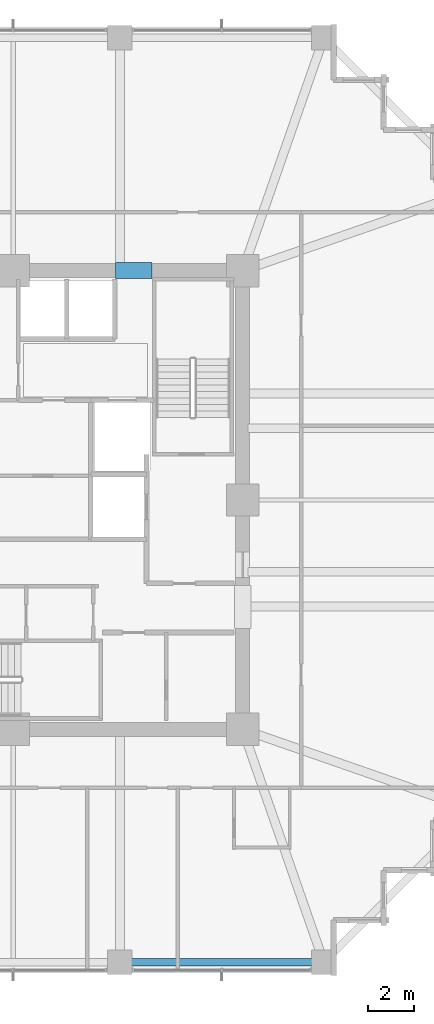
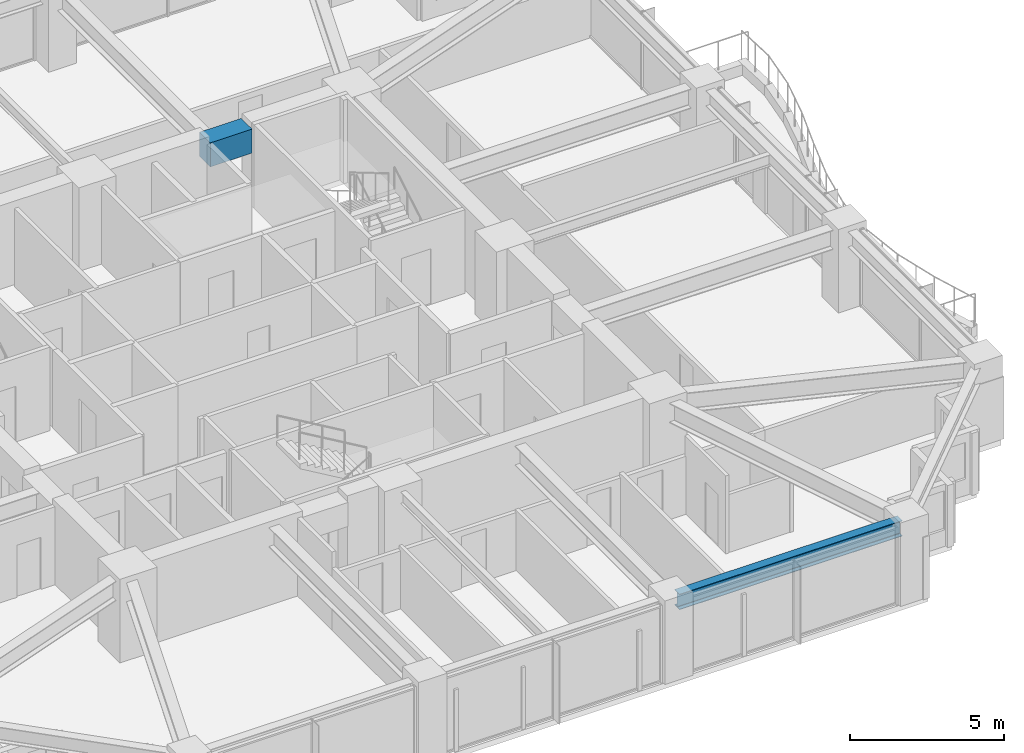
# One storey, part 11 of 36: 2 beams.
"""IFC4 building model written with IfcOpenShell, lengths in metres."""

from ifc_helpers import new_model, si_unit, direction, frame, origin, origin_2d, place, context, subcontext, project, spatial, rectangle, i_section, extrude, material, material_profile, profile_set, type_object, element, save


model = new_model("IFC4")

# Units and contexts
model_context = context("Model", 3, precision=1e-05, world=origin(), true_north=direction((0.0, 1.0)))
body_context = subcontext(model_context, "Body", "Model", "MODEL_VIEW")
ifc_project = project(units=[si_unit("LENGTHUNIT", "METRE"), si_unit("AREAUNIT", "SQUARE_METRE"), si_unit("VOLUMEUNIT", "CUBIC_METRE"), si_unit("PLANEANGLEUNIT", "RADIAN"), si_unit("MASSUNIT", "GRAM", prefix="KILO")], contexts=[model_context])

# Site, building, storey
site_placement = place(None, origin())
site = spatial("IfcSite", under=ifc_project, at=site_placement, CompositionType="ELEMENT")
building_placement = place(site_placement, origin())
building = spatial("IfcBuilding", under=site, at=building_placement, Name="Kolvaren Belvedere", CompositionType="ELEMENT")
storey_placement = place(building_placement, frame((0.0, 0.0, 95.300048828125)))
storey = spatial("IfcBuildingStorey", under=building, at=storey_placement, Name="L27", CompositionType="ELEMENT", Elevation=95.300048828125)

# Beams
ifc_material_1 = material(Name="Concrete C60/75", Category="concrete")
ifc_material_profile_1 = material_profile(ifc_material_1, rectangle(XDim=0.699951171875, YDim=0.949951171875, at=origin_2d()), Name="RC 700X950")
ifc_profile_set_1 = profile_set([ifc_material_profile_1], Name="Concrete C60/75")
beam_type_1 = type_object("IfcBeamType", Name="BM-LINT-950", PredefinedType="LINTEL", material=ifc_profile_set_1)
beam_1_placement = place(storey_placement, frame((4.419921875, 9.89990234375, 2.60498046875), z_axis=(1.0, 0.0, 0.0), x_axis=(0.0, 1.0, 0.0)))
element("IfcBeam", 1, at=beam_1_placement, inside=storey, type_object=beam_type_1, Name="L27 North Core Coupling Lintel", PredefinedType="LINTEL", context=body_context, shape_type="SweptSolid", body=[
    extrude(rectangle(XDim=0.699951171875, YDim=0.949951171875, at=origin_2d()), origin(), (0.0, 0.0, 1.0), 1.56005859375),
])
ifc_material_2 = material(Name="Structural steel ASTM A992 Grade 50", Category="steel")
ifc_material_profile_2 = material_profile(ifc_material_2, i_section(OverallWidth=0.324951171875, OverallDepth=0.615966796875, WebThickness=0.013916015625, FlangeThickness=0.021484375, FilletRadius=0.02001953125, at=origin_2d()), Name="W24X117")
ifc_profile_set_2 = profile_set([ifc_material_profile_2], Name="Structural steel ASTM A992 Grade 50")
beam_type_2 = type_object("IfcBeamType", Name="BM-SPAN-W24X117", PredefinedType="SPANDREL", material=ifc_profile_set_2)
beam_2_placement = place(storey_placement, frame((4.836181640625, -19.949951171875, 2.77197265625), z_axis=(1.0, 0.0, 0.0), x_axis=(0.0, 1.0, 0.0)))
element("IfcBeam", 2, at=beam_2_placement, inside=storey, type_object=beam_type_2, Name="L27 Perimeter Spandrel S3-S4", PredefinedType="SPANDREL", context=body_context, shape_type="SweptSolid", body=[
    extrude(i_section(OverallWidth=0.324951171875, OverallDepth=0.615966796875, WebThickness=0.013916015625, FlangeThickness=0.021484375, FilletRadius=0.02001953125, at=origin_2d()), origin(), (0.0, 0.0, 1.0), 8.32763671875),
])

save(model, "model.ifc")
